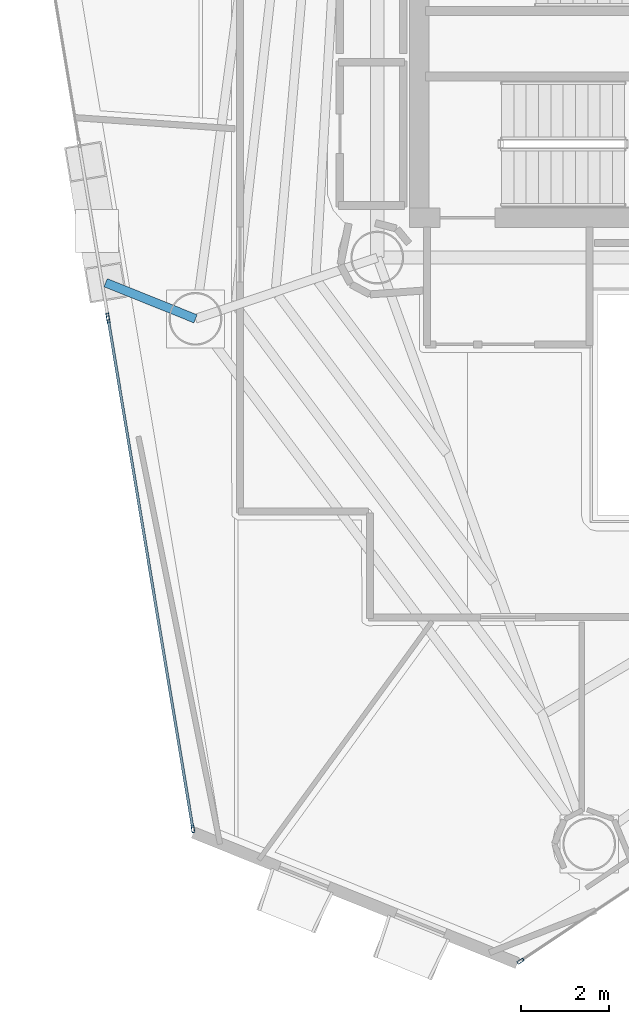
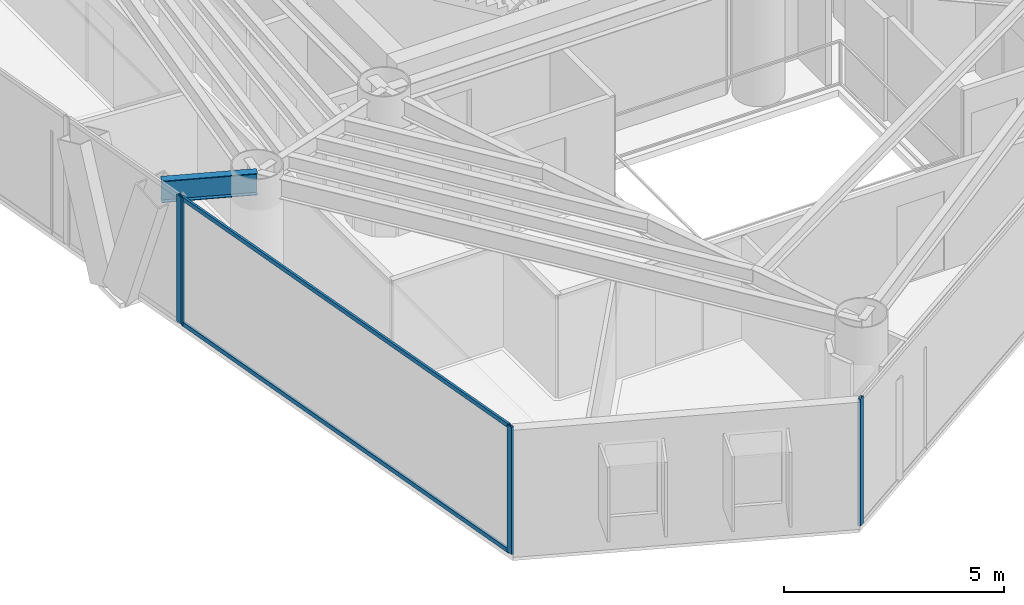
# One storey, part 2 of 21: 6 members, 1 beam, 3 elements without a shape of their own.
"""IFC4 building model written with IfcOpenShell, lengths in metres."""

from ifc_helpers import new_model, si_unit, direction, frame, origin, origin_2d, place, context, subcontext, project, spatial, hollow_rectangle, i_section, extrude, material, layer, layer_set, material_profile, profile_set, type_object, element, aggregate, save


model = new_model("IFC4")

# Units and contexts
model_context = context("Model", 3, precision=1e-05, world=origin(), true_north=direction((0.0, 1.0)))
body_context = subcontext(model_context, "Body", "Model", "MODEL_VIEW")
ifc_project = project(units=[si_unit("LENGTHUNIT", "METRE"), si_unit("AREAUNIT", "SQUARE_METRE"), si_unit("VOLUMEUNIT", "CUBIC_METRE"), si_unit("PLANEANGLEUNIT", "RADIAN"), si_unit("MASSUNIT", "GRAM", prefix="KILO")], contexts=[model_context])

# Site, building, storey
site_placement = place(None, origin())
site = spatial("IfcSite", under=ifc_project, at=site_placement, CompositionType="ELEMENT")
building_placement = place(site_placement, origin())
building = spatial("IfcBuilding", under=site, at=building_placement, Name="Qianvela Tower", CompositionType="ELEMENT")
storey_placement = place(building_placement, frame((0.0, 0.0, 189.199951171875)))
storey = spatial("IfcBuildingStorey", under=building, at=storey_placement, Name="L48", CompositionType="ELEMENT", Elevation=189.199951171875)

# Beam
ifc_material_1 = material(Name="Steel Q355B", Category="steel")
ifc_material_profile_1 = material_profile(ifc_material_1, i_section(OverallWidth=0.199951171875, OverallDepth=0.60009765625, WebThickness=0.010986328125, FlangeThickness=0.01708984375, at=origin_2d()), Name="HN600x200x11x17")
ifc_profile_set_1 = profile_set([ifc_material_profile_1], Name="Steel Q355B")
beam_type = type_object("IfcBeamType", Name="BM-HN600-GIRD", PredefinedType="BEAM", material=ifc_profile_set_1)
beam_placement = place(storey_placement, frame((24.471923828125, 22.4599609375, 3.218017578125), z_axis=(-0.927716457429, 0.373285647482, 0.0), x_axis=(-0.373285647482, -0.927716457429, 0.0)))
element("IfcBeam", 1, at=beam_placement, inside=storey, type_object=beam_type, Name="L48 Mega-Brace Column Tie Bracket F2-2", PredefinedType="BEAM", context=body_context, shape_type="SweptSolid", body=[
    extrude(i_section(OverallWidth=0.199951171875, OverallDepth=0.60009765625, WebThickness=0.010986328125, FlangeThickness=0.01708984375, at=origin_2d()), origin(), (0.0, 0.0, 1.0), 2.1982421875),
])

# Curtain wall, member
ifc_material_2 = material(Name="Anodised Architectural Aluminium and Insulated Spandrel Panel", Category="aluminium")
ifc_layer_1 = layer(ifc_material_2, 0.179931640625)
ifc_layer_set_1 = layer_set([ifc_layer_1], Name="Anodised Architectural Aluminium and Insulated Spandrel Panel")
curtain_wall_type_1 = type_object("IfcCurtainWallType", Name="CW-BRACEBAY", PredefinedType="USERDEFINED", material=ifc_layer_set_1)
curtain_wall_1_placement = place(storey_placement, origin())
curtain_wall_1 = element("IfcCurtainWall", 2, at=curtain_wall_1_placement, inside=storey, type_object=curtain_wall_type_1, Name="L48 CW-BRACEBAY Curtain Wall 04B", ObjectType="CURTAIN_WALL_SYSTEM", PredefinedType="USERDEFINED")
ifc_material_3 = material(Name="Anodised Architectural Aluminium 6063-T6", Category="aluminium")
ifc_material_profile_2 = material_profile(ifc_material_3, hollow_rectangle(XDim=0.06494140625, YDim=0.159912109375, WallThickness=0.0048828125, at=origin_2d()), Name="ALU-MULL-65x160")
ifc_profile_set_2 = profile_set([ifc_material_profile_2], Name="Anodised Architectural Aluminium 6063-T6")
member_type_1 = type_object("IfcMemberType", Name="CW-BRACEBAY-MULL", PredefinedType="MULLION", material=ifc_profile_set_2)
member_1_placement = place(storey_placement, frame((22.4794921875, 22.510986328125, 0.0), z_axis=(0.0, 0.0, 1.0), x_axis=(0.986458738505, 0.16400962541, 0.0)))
member_1 = element("IfcMember", 3, at=member_1_placement, type_object=member_type_1, Name="CW-9 mullion 2", PredefinedType="MULLION", context=body_context, shape_type="SweptSolid", body=[
    extrude(hollow_rectangle(XDim=0.06494140625, YDim=0.159912109375, WallThickness=0.0048828125, at=origin_2d()), origin(), (0.0, 0.0, 1.0), 3.52001953125),
])
aggregate(curtain_wall_1, [member_1])

# Curtain wall, members
ifc_material_4 = material(Name="Anodised Architectural Aluminium and Low-E Glass", Category="aluminium")
ifc_layer_2 = layer(ifc_material_4, 0.159912109375)
ifc_layer_set_2 = layer_set([ifc_layer_2], Name="Anodised Architectural Aluminium and Low-E Glass")
curtain_wall_type_2 = type_object("IfcCurtainWallType", Name="CW-COLIV-Z56", PredefinedType="USERDEFINED", material=ifc_layer_set_2)
curtain_wall_2_placement = place(storey_placement, origin())
curtain_wall_2 = element("IfcCurtainWall", 4, at=curtain_wall_2_placement, inside=storey, type_object=curtain_wall_type_2, Name="L48 CW-COLIV-Z56 Curtain Wall 04C", ObjectType="CURTAIN_WALL_SYSTEM", PredefinedType="USERDEFINED")
ifc_material_5 = material(Name="Anodised Architectural Aluminium 6063-T6", Category="aluminium")
ifc_material_profile_3 = material_profile(ifc_material_5, hollow_rectangle(XDim=0.06494140625, YDim=0.159912109375, WallThickness=0.0048828125, at=origin_2d()), Name="ALU-MULL-65x160")
ifc_profile_set_3 = profile_set([ifc_material_profile_3], Name="Anodised Architectural Aluminium 6063-T6")
member_type_2 = type_object("IfcMemberType", Name="CW-COLIV-Z56-MULL", PredefinedType="MULLION", material=ifc_profile_set_3)
member_2_placement = place(storey_placement, frame((22.490234375, 22.44677734375, 0.0), z_axis=(0.0, 0.0, 1.0), x_axis=(0.98645844552, 0.164011387599, 0.0)))
member_2 = element("IfcMember", 5, at=member_2_placement, type_object=member_type_2, Name="CW-5 mullion 1", PredefinedType="MULLION", context=body_context, shape_type="SweptSolid", body=[
    extrude(hollow_rectangle(XDim=0.06494140625, YDim=0.159912109375, WallThickness=0.0048828125, at=origin_2d()), origin(), (0.0, 0.0, 1.0), 3.52001953125),
])
member_3_placement = place(storey_placement, frame((24.41455078125, 10.8720703125, 0.0), z_axis=(0.0, 0.0, 1.0), x_axis=(0.98645844552, 0.164011387599, 0.0)))
member_3 = element("IfcMember", 6, at=member_3_placement, type_object=member_type_2, Name="CW-5 mullion 2", PredefinedType="MULLION", context=body_context, shape_type="SweptSolid", body=[
    extrude(hollow_rectangle(XDim=0.06494140625, YDim=0.159912109375, WallThickness=0.0048828125, at=origin_2d()), origin(), (0.0, 0.0, 1.0), 3.52001953125),
])

# Curtain wall, member
curtain_wall_3_placement = place(storey_placement, origin())
curtain_wall_3 = element("IfcCurtainWall", 7, at=curtain_wall_3_placement, inside=storey, type_object=curtain_wall_type_2, Name="L48 CW-COLIV-Z56 Curtain Wall 06A", ObjectType="CURTAIN_WALL_SYSTEM", PredefinedType="USERDEFINED")
member_4_placement = place(storey_placement, frame((31.851318359375, 7.873291015625, 0.0), z_axis=(0.0, 0.0, 1.0), x_axis=(-0.556198152961, 0.831049706482, 0.0)))
member_4 = element("IfcMember", 8, at=member_4_placement, type_object=member_type_2, Name="CW-5 mullion 1", PredefinedType="MULLION", context=body_context, shape_type="SweptSolid", body=[
    extrude(hollow_rectangle(XDim=0.06494140625, YDim=0.159912109375, WallThickness=0.0048828125, at=origin_2d()), origin(), (0.0, 0.0, 1.0), 3.52001953125),
])
aggregate(curtain_wall_3, [member_4])

# Member
ifc_material_6 = material(Name="Anodised Architectural Aluminium 6063-T6", Category="aluminium")
ifc_material_profile_4 = material_profile(ifc_material_6, hollow_rectangle(XDim=0.06005859375, YDim=0.114990234375, WallThickness=0.00390625, at=origin_2d()), Name="ALU-TRAN-60x115")
ifc_profile_set_4 = profile_set([ifc_material_profile_4], Name="Anodised Architectural Aluminium 6063-T6")
member_type_3 = type_object("IfcMemberType", Name="CW-COLIV-Z56-TRAN", PredefinedType="USERDEFINED", material=ifc_profile_set_4)
member_5_placement = place(storey_placement, frame((22.49560546875, 22.414794921875, 0.030029296875), z_axis=(0.164015574634, -0.986457749363, 0.0), x_axis=(0.986457749363, 0.164015574634, 0.0)))
member_5 = element("IfcMember", 9, at=member_5_placement, type_object=member_type_3, Name="CW-5 transom 1.1", ObjectType="TRANSOM", PredefinedType="USERDEFINED", context=body_context, shape_type="SweptSolid", body=[
    extrude(hollow_rectangle(XDim=0.06005859375, YDim=0.114990234375, WallThickness=0.00390625, at=origin_2d()), origin(), (0.0, 0.0, 1.0), 11.66845703125),
])

member_6_placement = place(storey_placement, frame((22.49560546875, 22.414794921875, 3.489990234375), z_axis=(0.164015574634, -0.986457749363, 0.0), x_axis=(0.986457749363, 0.164015574634, 0.0)))
member_6 = element("IfcMember", 10, at=member_6_placement, type_object=member_type_3, Name="CW-5 transom 1.2", ObjectType="TRANSOM", PredefinedType="USERDEFINED", context=body_context, shape_type="SweptSolid", body=[
    extrude(hollow_rectangle(XDim=0.06005859375, YDim=0.114990234375, WallThickness=0.00390625, at=origin_2d()), origin(), (0.0, 0.0, 1.0), 11.66845703125),
])

aggregate(curtain_wall_2, [member_2, member_3, member_5, member_6])

save(model, "model.ifc")
